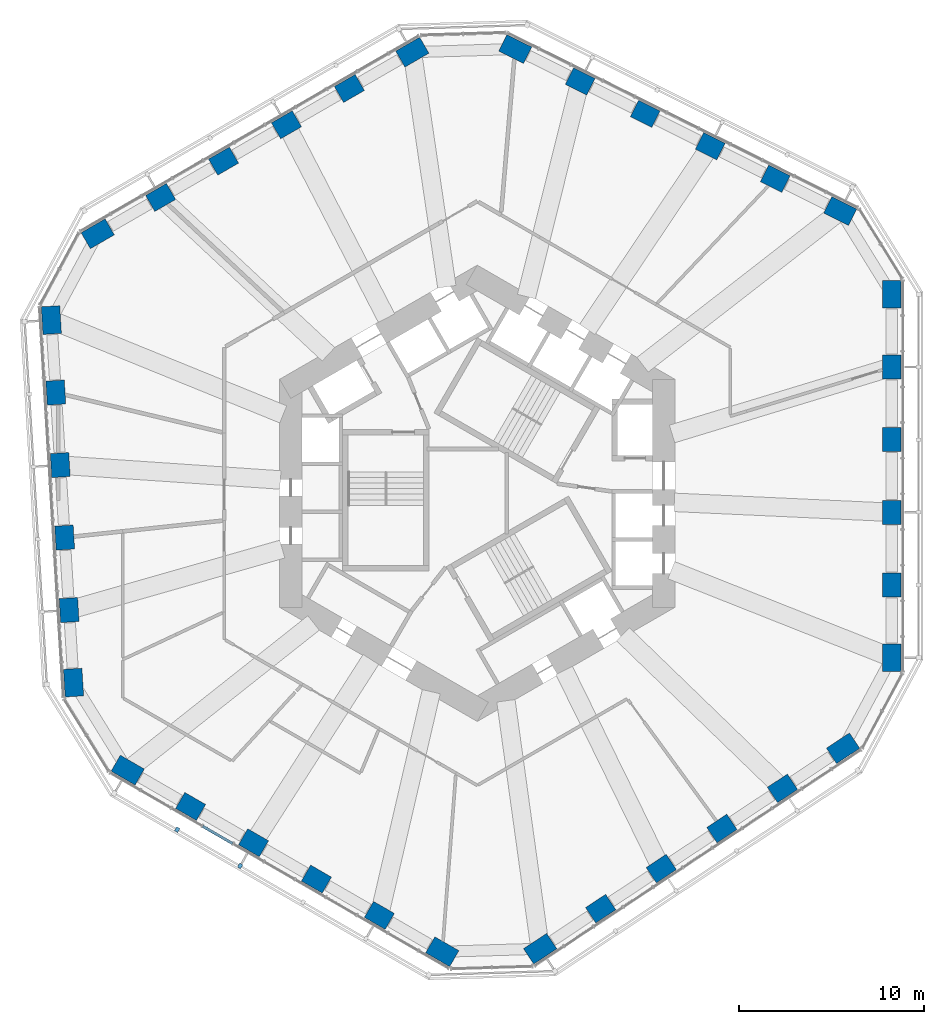
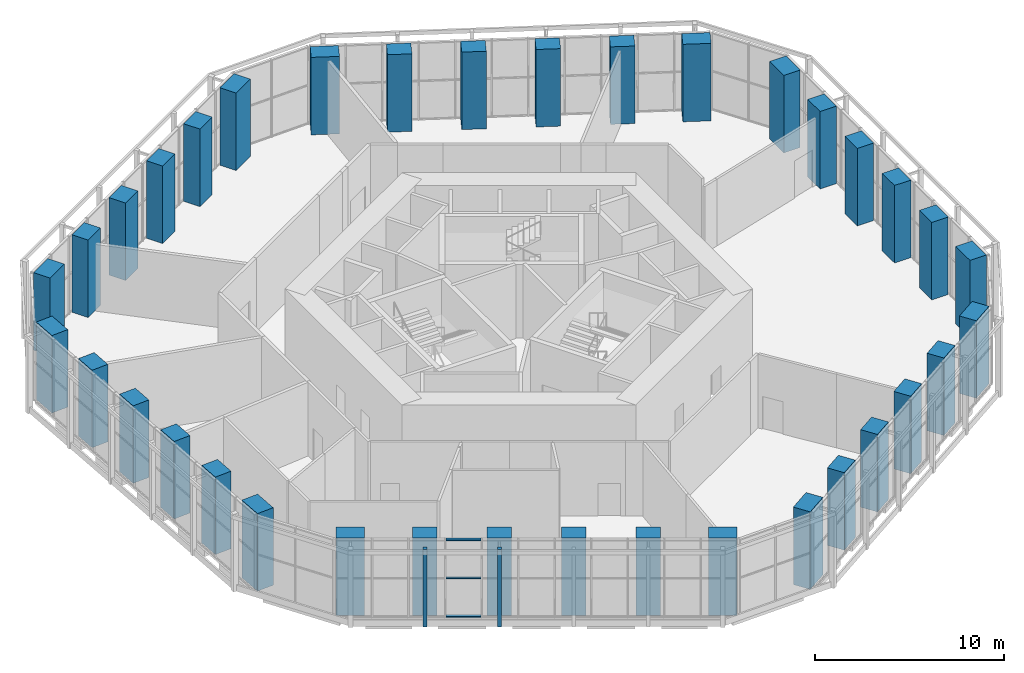
# One storey, part 1 of 19: 36 columns, 5 members, 2 elements without a shape of their own.
"""IFC4 building model written with IfcOpenShell, lengths in metres."""

from ifc_helpers import new_model, si_unit, direction, frame, origin, origin_2d, place, context, subcontext, project, spatial, rectangle, extrude, material, material_profile, profile_set, type_object, element, aggregate, save


model = new_model("IFC4")

# Units and contexts
model_context = context("Model", 3, precision=1e-05, world=origin(), true_north=direction((0.0, 1.0)))
body_context = subcontext(model_context, "Body", "Model", "MODEL_VIEW")
ifc_project = project(units=[si_unit("LENGTHUNIT", "METRE"), si_unit("AREAUNIT", "SQUARE_METRE"), si_unit("VOLUMEUNIT", "CUBIC_METRE"), si_unit("PLANEANGLEUNIT", "RADIAN"), si_unit("MASSUNIT", "GRAM", prefix="KILO")], contexts=[model_context])

# Site, building, storey
site_placement = place(None, origin())
site = spatial("IfcSite", under=ifc_project, at=site_placement, CompositionType="ELEMENT")
building_placement = place(site_placement, origin())
building = spatial("IfcBuilding", under=site, at=building_placement, Name="Vanh Sen Convention Tower", CompositionType="ELEMENT")
storey_placement = place(building_placement, frame((0.0, 0.0, 39.0)))
storey = spatial("IfcBuildingStorey", under=building, at=storey_placement, Name="L06", CompositionType="ELEMENT", Elevation=39.0)

# Columns
ifc_material_1 = material(Name="Concrete C80/95", Category="concrete")
ifc_material_profile_1 = material_profile(ifc_material_1, rectangle(XDim=1.300048828125, YDim=1.0, at=origin_2d()), Name="RC 1300X1000")
ifc_profile_set_1 = profile_set([ifc_material_profile_1], Name="Concrete C80/95")
column_type_1 = type_object("IfcColumnType", Name="Facade column 1300 x 1000 C80/95", PredefinedType="COLUMN", material=ifc_profile_set_1)
for number, where, z_axis, x_axis, name in (
    (1, (22.449951171875, -4.964599609375, 0.0), (0.0, 0.0, 1.0), (0.0, 1.0, 0.0), "Facade column 02 L06"),
    (2, (22.449951171875, -1.030029296875, 0.0), (0.0, 0.0, 1.0), (0.0, 1.0, 0.0), "Facade column 03 L06"),
    (3, (22.449951171875, 2.904541015625, 0.0), (0.0, 0.0, 1.0), (0.0, 1.0, 0.0), "Facade column 04 L06"),
    (4, (22.449951171875, 6.839111328125, 0.0), (0.0, 0.0, 1.0), (0.0, 1.0, 0.0), "Facade column 05 L06"),
    (5, (16.1376953125, 17.039794921875, 0.0), (0.0, 0.0, 1.0), (-0.894934361602, 0.44619781311, 0.0), "Facade column 08 L06"),
    (6, (12.616455078125, 18.79541015625, 0.0), (0.0, 0.0, 1.0), (-0.894934361602, 0.44619781311, 0.0), "Facade column 09 L06"),
    (7, (9.09521484375, 20.55078125, 0.0), (0.0, 0.0, 1.0), (-0.894934361602, 0.44619781311, 0.0), "Facade column 10 L06"),
    (8, (5.57421875, 22.306396484375, 0.0), (0.0, 0.0, 1.0), (-0.894934361602, 0.44619781311, 0.0), "Facade column 11 L06"),
    (9, (-6.925537109375, 21.924560546875, 0.0), (0.0, 0.0, 1.0), (-0.866025403784, -0.5, 0.0), "Facade column 14 L06"),
    (10, (-10.3330078125, 19.957275390625, 0.0), (0.0, 0.0, 1.0), (-0.866025403784, -0.5, 0.0), "Facade column 15 L06"),
    (11, (-13.740478515625, 17.989990234375, 0.0), (0.0, 0.0, 1.0), (-0.866025403784, -0.5, 0.0), "Facade column 16 L06"),
    (12, (-17.14794921875, 16.022705078125, 0.0), (0.0, 0.0, 1.0), (-0.866025403784, -0.5, 0.0), "Facade column 17 L06"),
    (13, (-22.82568359375, 5.455810546875, 0.0), (0.0, 0.0, 1.0), (0.061048539535, -0.998134798422, 0.0), "Facade column 20 L06"),
    (14, (-22.58544921875, 1.528564453125, 0.0), (0.0, 0.0, 1.0), (0.061048539535, -0.998134798422, 0.0), "Facade column 21 L06"),
    (15, (-22.34521484375, -2.398681640625, 0.0), (0.0, 0.0, 1.0), (0.061048539535, -0.998134798422, 0.0), "Facade column 22 L06"),
    (16, (-22.10498046875, -6.325927734375, 0.0), (0.0, 0.0, 1.0), (0.061048539535, -0.998134798422, 0.0), "Facade column 23 L06"),
    (17, (-15.5244140625, -16.9599609375, 0.0), (0.0, 0.0, 1.0), (0.866025403784, -0.5, 0.0), "Facade column 26 L06"),
    (18, (-12.1171875, -18.92724609375, 0.0), (0.0, 0.0, 1.0), (0.866025403784, -0.5, 0.0), "Facade column 27 L06"),
    (19, (-8.709716796875, -20.89453125, 0.0), (0.0, 0.0, 1.0), (0.866025403784, -0.5, 0.0), "Facade column 28 L06"),
    (20, (-5.302001953125, -22.86181640625, 0.0), (0.0, 0.0, 1.0), (0.866025403784, -0.5, 0.0), "Facade column 29 L06"),
    (21, (6.68798828125, -22.49560546875, 0.0), (0.0, 0.0, 1.0), (0.833885822067, 0.551936985312, 0.0), "Facade column 32 L06"),
    (22, (9.968994140625, -20.323974609375, 0.0), (0.0, 0.0, 1.0), (0.833885822067, 0.551936985312, 0.0), "Facade column 33 L06"),
    (23, (13.25, -18.152099609375, 0.0), (0.0, 0.0, 1.0), (0.833885822067, 0.551936985312, 0.0), "Facade column 34 L06"),
    (24, (16.531005859375, -15.980712890625, 0.0), (0.0, 0.0, 1.0), (0.833885822067, 0.551936985312, 0.0), "Facade column 35 L06"),
):
    element("IfcColumn", number, at=place(storey_placement, frame(where, z_axis=z_axis, x_axis=x_axis)), inside=storey, type_object=column_type_1, Name=name, PredefinedType="COLUMN", context=body_context, shape_type="SweptSolid", body=[
        extrude(rectangle(XDim=1.300048828125, YDim=1.0, at=origin_2d()), origin(), (0.0, 0.0, 1.0), 5.0),
    ])
ifc_material_profile_2 = material_profile(ifc_material_1, rectangle(XDim=1.5, YDim=1.0, at=origin_2d()), Name="RC 1500X1000")
ifc_profile_set_2 = profile_set([ifc_material_profile_2], Name="Concrete C80/95")
column_type_2 = type_object("IfcColumnType", Name="Facade corner column 1500 x 1000 C80/95", PredefinedType="COLUMN", material=ifc_profile_set_2)
for number, where, z_axis, x_axis, name in (
    (25, (22.449951171875, -8.899169921875, 0.0), (0.0, 0.0, 1.0), (0.0, 1.0, 0.0), "Facade column 01 L06"),
    (26, (22.449951171875, 10.773681640625, 0.0), (0.0, 0.0, 1.0), (0.0, 1.0, 0.0), "Facade column 06 L06"),
    (27, (19.658935546875, 15.2841796875, 0.0), (0.0, 0.0, 1.0), (-0.894934361602, 0.44619781311, 0.0), "Facade column 07 L06"),
    (28, (2.052978515625, 24.06201171875, 0.0), (0.0, 0.0, 1.0), (-0.894934361602, 0.44619781311, 0.0), "Facade column 12 L06"),
    (29, (-3.51806640625, 23.891845703125, 0.0), (0.0, 0.0, 1.0), (-0.866025403784, -0.5, 0.0), "Facade column 13 L06"),
    (30, (-20.555419921875, 14.055419921875, 0.0), (0.0, 0.0, 1.0), (-0.866025403784, -0.5, 0.0), "Facade column 18 L06"),
    (31, (-23.06591796875, 9.383056640625, 0.0), (0.0, 0.0, 1.0), (0.061048539535, -0.998134798422, 0.0), "Facade column 19 L06"),
    (32, (-21.86474609375, -10.253173828125, 0.0), (0.0, 0.0, 1.0), (0.061048539535, -0.998134798422, 0.0), "Facade column 24 L06"),
    (33, (-18.931884765625, -14.99267578125, 0.0), (0.0, 0.0, 1.0), (0.866025403784, -0.5, 0.0), "Facade column 25 L06"),
    (34, (-1.894775390625, -24.8291015625, 0.0), (0.0, 0.0, 1.0), (0.866025403784, -0.5, 0.0), "Facade column 30 L06"),
    (35, (3.406982421875, -24.6669921875, 0.0), (0.0, 0.0, 1.0), (0.833885822067, 0.551936985312, 0.0), "Facade column 31 L06"),
    (36, (19.81201171875, -13.808837890625, 0.0), (0.0, 0.0, 1.0), (0.833885822067, 0.551936985312, 0.0), "Facade column 36 L06"),
):
    element("IfcColumn", number, at=place(storey_placement, frame(where, z_axis=z_axis, x_axis=x_axis)), inside=storey, type_object=column_type_2, Name=name, PredefinedType="COLUMN", context=body_context, shape_type="SweptSolid", body=[
        extrude(rectangle(XDim=1.5, YDim=1.0, at=origin_2d()), origin(), (0.0, 0.0, 1.0), 5.0),
    ])

# Curtain wall, members
ifc_material_2 = material(Name="Aluminium structural glazing system", Category="aluminium")
curtain_wall_type_1 = type_object("IfcCurtainWallType", Name="Hotel lobby structural glazing", PredefinedType="NOTDEFINED", material=ifc_material_2)
curtain_wall_1_placement = place(storey_placement, origin())
curtain_wall_1 = element("IfcCurtainWall", 37, at=curtain_wall_1_placement, inside=storey, type_object=curtain_wall_type_1, Name="Hotel lobby glazing SW L06", PredefinedType="NOTDEFINED")
ifc_material_3 = material(Name="Aluminium transom", Category="aluminium")
ifc_material_profile_3 = material_profile(ifc_material_3, rectangle(XDim=0.14990234375, YDim=0.070068359375, at=origin_2d()), Name="Lobby glazing transom 150 x 70")
ifc_profile_set_3 = profile_set([ifc_material_profile_3], Name="Aluminium transom")
member_type_1 = type_object("IfcMemberType", Name="Lobby glazing transom 150 x 70", PredefinedType="USERDEFINED", material=ifc_profile_set_3)
member_1_placement = place(storey_placement, frame((-14.865478515625, -18.033203125, 0.034912109375), z_axis=(0.865982457891, -0.500074377092, 0.0), x_axis=(0.500074377092, 0.865982457891, 0.0)))
member_1 = element("IfcMember", 38, at=member_1_placement, type_object=member_type_1, Name="CW2 transom 4.1", ObjectType="TRANSOM", PredefinedType="USERDEFINED", context=body_context, shape_type="SweptSolid", body=[
    extrude(rectangle(XDim=0.14990234375, YDim=0.070068359375, at=origin_2d()), origin(), (0.0, 0.0, 1.0), 1.861572265625),
])
member_2_placement = place(storey_placement, frame((-14.865478515625, -18.033203125, 2.5), z_axis=(0.865982457891, -0.500074377092, 0.0), x_axis=(0.500074377092, 0.865982457891, 0.0)))
member_2 = element("IfcMember", 39, at=member_2_placement, type_object=member_type_1, Name="CW2 transom 4.2", ObjectType="TRANSOM", PredefinedType="USERDEFINED", context=body_context, shape_type="SweptSolid", body=[
    extrude(rectangle(XDim=0.14990234375, YDim=0.070068359375, at=origin_2d()), origin(), (0.0, 0.0, 1.0), 1.861572265625),
])
member_3_placement = place(storey_placement, frame((-14.865478515625, -18.033203125, 4.965087890625), z_axis=(0.865982457891, -0.500074377092, 0.0), x_axis=(0.500074377092, 0.865982457891, 0.0)))
member_3 = element("IfcMember", 40, at=member_3_placement, type_object=member_type_1, Name="CW2 transom 4.3", ObjectType="TRANSOM", PredefinedType="USERDEFINED", context=body_context, shape_type="SweptSolid", body=[
    extrude(rectangle(XDim=0.14990234375, YDim=0.070068359375, at=origin_2d()), origin(), (0.0, 0.0, 1.0), 1.861572265625),
])
aggregate(curtain_wall_1, [member_1, member_2, member_3])

ifc_material_4 = material(Name="Concrete C50/60", Category="concrete")
curtain_wall_type_2 = type_object("IfcCurtainWallType", Name="Outer skin hotel zone", PredefinedType="NOTDEFINED", material=ifc_material_4)
curtain_wall_2_placement = place(storey_placement, origin())
curtain_wall_2 = element("IfcCurtainWall", 41, at=curtain_wall_2_placement, inside=storey, type_object=curtain_wall_type_2, Name="OUTER SKIN SW L06", PredefinedType="NOTDEFINED")
ifc_material_profile_4 = material_profile(ifc_material_4, rectangle(XDim=0.199951171875, YDim=0.25, at=origin_2d()), Name="Outer skin precast fin 200 x 250")
ifc_profile_set_4 = profile_set([ifc_material_profile_4], Name="Concrete C50/60")
member_type_2 = type_object("IfcMemberType", Name="Outer skin precast fin 200 x 250", PredefinedType="MULLION", material=ifc_profile_set_4)
member_4_placement = place(storey_placement, frame((-16.24951171875, -18.2158203125, 0.0), z_axis=(0.0, 0.0, 1.0), x_axis=(0.866025403784, -0.5, 0.0)))
member_4 = element("IfcMember", 42, at=member_4_placement, type_object=member_type_2, Name="OUTER SKIN fin 2 SW L06", PredefinedType="MULLION", context=body_context, shape_type="SweptSolid", body=[
    extrude(rectangle(XDim=0.199951171875, YDim=0.25, at=origin_2d()), origin(), (0.0, 0.0, 1.0), 5.0),
])
member_5_placement = place(storey_placement, frame((-12.842041015625, -20.182861328125, 0.0), z_axis=(0.0, 0.0, 1.0), x_axis=(0.866025403784, -0.5, 0.0)))
member_5 = element("IfcMember", 43, at=member_5_placement, type_object=member_type_2, Name="OUTER SKIN fin 3 SW L06", PredefinedType="MULLION", context=body_context, shape_type="SweptSolid", body=[
    extrude(rectangle(XDim=0.199951171875, YDim=0.25, at=origin_2d()), origin(), (0.0, 0.0, 1.0), 5.0),
])
aggregate(curtain_wall_2, [member_4, member_5])

save(model, "model.ifc")
